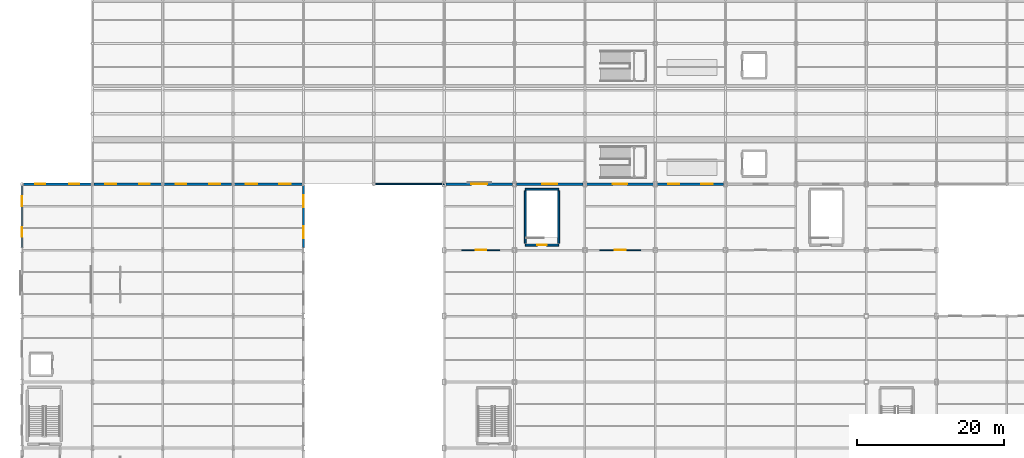
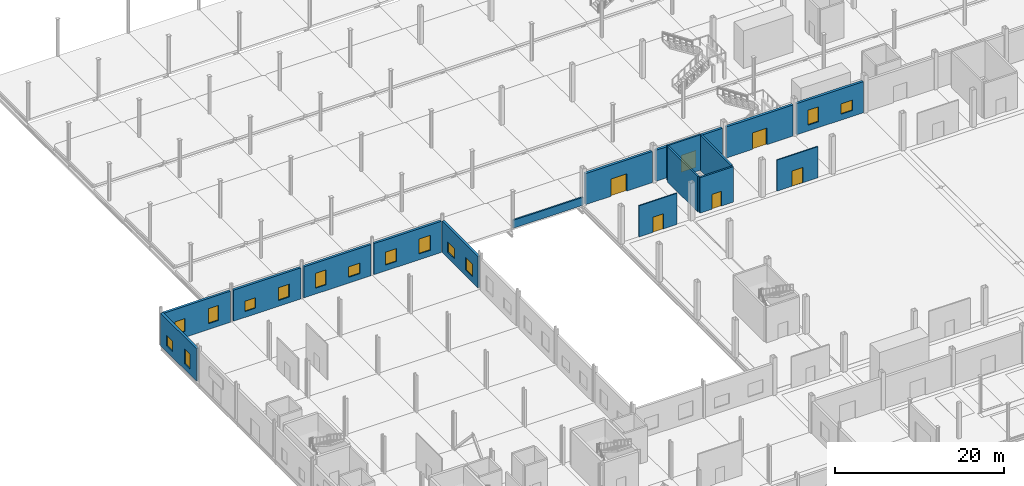
# One storey, part 69 of 85: 17 walls, 14 windows, 6 doors, 20 openings.
"""IFC4 building model written with IfcOpenShell, lengths in metres."""

from ifc_helpers import new_model, si_unit, direction, frame, frame_2d, origin, place, context, subcontext, project, spatial, rectangle, extrude, material, layer, layer_set, type_object, element, fill, save


model = new_model("IFC4")

# Units and contexts
model_context = context("Model", 3, precision=1e-05, world=origin(), true_north=direction((0.0, 1.0)))
body_context = subcontext(model_context, "Body", "Model", "MODEL_VIEW")
ifc_project = project(units=[si_unit("LENGTHUNIT", "METRE"), si_unit("AREAUNIT", "SQUARE_METRE"), si_unit("VOLUMEUNIT", "CUBIC_METRE"), si_unit("PLANEANGLEUNIT", "RADIAN"), si_unit("MASSUNIT", "GRAM", prefix="KILO")], contexts=[model_context])

# Site, building, storey
site_placement = place(None, origin())
site = spatial("IfcSite", under=ifc_project, at=site_placement, CompositionType="ELEMENT")
building_placement = place(site_placement, origin())
building = spatial("IfcBuilding", under=site, at=building_placement, Name="Zarnetskaya Central Station", CompositionType="ELEMENT")
storey_placement = place(building_placement, origin())
storey = spatial("IfcBuildingStorey", under=building, at=storey_placement, Name="L00", CompositionType="ELEMENT", Elevation=0.0)

# Wall, opening, door
ifc_material_1 = material(Name="Gypsum acoustic partition")
ifc_layer_1 = layer(ifc_material_1, 0.159912109375, Name="Gypsum acoustic partition")
ifc_layer_set_1 = layer_set([ifc_layer_1], Name="Gypsum acoustic partition")
wall_type_1 = type_object("IfcWallType", Name="PART-ACOU-160", PredefinedType="PARTITIONING", material=ifc_layer_set_1)
wall_1_placement = place(storey_placement, frame((65.199951171875, 58.199951171875, 0.0), z_axis=(0.0, 0.0, 1.0), x_axis=(-1.0, 0.0, 0.0)))
wall_1 = element("IfcWall", 1, at=wall_1_placement, inside=storey, type_object=wall_type_1, Name="Interior partition IPRT-L00-0387", PredefinedType="PARTITIONING", context=body_context, shape_type="SweptSolid", body=[
    extrude(rectangle(XDim=5.199951171875, YDim=0.159912109375, at=frame_2d((2.60009765625, 0.0))), origin(), (0.0, 0.0, 1.0), 4.489990234375),
])
opening_1_placement = place(wall_1_placement, frame((1.889892578125, 0.0, 0.0)))
opening_1 = element("IfcOpeningElement", 2, at=opening_1_placement, cuts=wall_1, Name="Opening DR-12", PredefinedType="OPENING", context=body_context, shape_type="SweptSolid", body=[
    extrude(rectangle(XDim=1.419921875, YDim=2.179931640625, at=frame_2d((0.7099609375, 1.08984375))), frame((0.0, 0.08984375, 0.0), z_axis=(0.0, -1.0, 0.0), x_axis=(1.0, 0.0, 0.0)), (0.0, 0.0, 1.0), 0.179931640625),
])
ifc_material_2 = material(Name="Anodised aluminium", Category="aluminium")
door_type_1 = type_object("IfcDoorType", Name="DR-INT-13", OperationType="NOTDEFINED", PredefinedType="DOOR", material=ifc_material_2)
door_1_placement = place(opening_1_placement, origin())
door_1 = element("IfcDoor", 3, at=door_1_placement, inside=storey, type_object=door_type_1, Name="North Eaves Passenger Waiting Lounge West door", OperationType="SINGLE_SWING_LEFT", OverallHeight=2.179931640625, OverallWidth=1.419921875, PredefinedType="DOOR", context=body_context, shape_type="SweptSolid", body=[
    extrude(rectangle(XDim=1.419921875, YDim=2.179931640625, at=frame_2d((0.7099609375, 1.08984375))), frame((0.0, 0.02490234375, 0.0), z_axis=(0.0, -1.0, 0.0), x_axis=(1.0, 0.0, 0.0)), (0.0, 0.0, 1.0), 0.050048828125),
])
fill(opening_1, door_1)

ifc_layer_2 = layer(ifc_material_1, 0.14501953125, Name="Gypsum acoustic partition")
ifc_layer_set_2 = layer_set([ifc_layer_2], Name="Gypsum acoustic partition")
wall_type_2 = type_object("IfcWallType", Name="PART-HALL-145", PredefinedType="PARTITIONING", material=ifc_layer_set_2)
wall_2_placement = place(storey_placement, frame((84.39990234375, 58.199951171875, 0.0), z_axis=(0.0, 0.0, 1.0), x_axis=(-1.0, 0.0, 0.0)))
wall_2 = element("IfcWall", 4, at=wall_2_placement, inside=storey, type_object=wall_type_2, Name="Interior partition IPRT-L00-0388", PredefinedType="PARTITIONING", context=body_context, shape_type="SweptSolid", body=[
    extrude(rectangle(XDim=5.599853515625, YDim=0.14501953125, at=frame_2d((2.7998046875, 0.0))), origin(), (0.0, 0.0, 1.0), 4.489990234375),
])
opening_2_placement = place(wall_2_placement, frame((2.050048828125, 0.0, 0.0)))
opening_2 = element("IfcOpeningElement", 5, at=opening_2_placement, cuts=wall_2, Name="Opening DR-15", PredefinedType="OPENING", context=body_context, shape_type="SweptSolid", body=[
    extrude(rectangle(XDim=1.5, YDim=2.199951171875, at=frame_2d((0.75, 1.10009765625))), frame((0.0, 0.08251953125, 0.0), z_axis=(0.0, -1.0, 0.0), x_axis=(1.0, 0.0, 0.0)), (0.0, 0.0, 1.0), 0.1650390625),
])
door_type_2 = type_object("IfcDoorType", Name="DR-INT-14", OperationType="NOTDEFINED", PredefinedType="DOOR", material=ifc_material_2)
door_2_placement = place(opening_2_placement, origin())
door_2 = element("IfcDoor", 6, at=door_2_placement, inside=storey, type_object=door_type_2, Name="North Eaves Passenger Waiting Lounge door", OperationType="SINGLE_SWING_RIGHT", OverallHeight=2.199951171875, OverallWidth=1.5, PredefinedType="DOOR", context=body_context, shape_type="SweptSolid", body=[
    extrude(rectangle(XDim=1.5, YDim=2.199951171875, at=frame_2d((0.75, 1.10009765625))), frame((0.0, 0.02490234375, 0.0), z_axis=(0.0, -1.0, 0.0), x_axis=(1.0, 0.0, 0.0)), (0.0, 0.0, 1.0), 0.050048828125),
])
fill(opening_2, door_2)

ifc_material_3 = material(Name="Precast concrete C40/50", Category="concrete")
ifc_layer_3 = layer(ifc_material_3, 0.340087890625, Name="Precast concrete C40/50", Category="concrete")
ifc_layer_set_3 = layer_set([ifc_layer_3], Name="Precast concrete C40/50")
wall_type_3 = type_object("IfcWallType", Name="WALL-EAVE-340", PredefinedType="SOLIDWALL", material=ifc_layer_set_3)
wall_3_placement = place(storey_placement, frame((57.85009765625, 67.199951171875, 0.0), z_axis=(0.0, 0.0, 1.0), x_axis=(1.0, 0.0, 0.0)))
wall_3 = element("IfcWall", 7, at=wall_3_placement, inside=storey, type_object=wall_type_3, Name="Exterior precast wall EW-L00-578-672-670-672", PredefinedType="SOLIDWALL", context=body_context, shape_type="SweptSolid", body=[
    extrude(rectangle(XDim=9.099853515625, YDim=0.340087890625, at=frame_2d((4.5498046875, 0.0))), origin(), (0.0, 0.0, 1.0), 4.489990234375),
])
opening_3_placement = place(wall_3_placement, frame((3.47509765625, 0.0, 0.0)))
opening_3 = element("IfcOpeningElement", 8, at=opening_3_placement, cuts=wall_3, Name="Opening ED-13", PredefinedType="OPENING", context=body_context, shape_type="SweptSolid", body=[
    extrude(rectangle(XDim=2.14990234375, YDim=2.5, at=frame_2d((1.074951171875, 1.25))), frame((0.0, 0.18017578125, 0.0), z_axis=(0.0, -1.0, 0.0), x_axis=(1.0, 0.0, 0.0)), (0.0, 0.0, 1.0), 0.360107421875),
])
door_type_3 = type_object("IfcDoorType", Name="DR-EXT-215x250", OperationType="NOTDEFINED", PredefinedType="DOOR", material=ifc_material_2)
door_3_placement = place(opening_3_placement, origin())
door_3 = element("IfcDoor", 9, at=door_3_placement, inside=storey, type_object=door_type_3, Name="Pedestrian final exit door ED-10", OperationType="DOUBLE_DOOR_SINGLE_SWING", OverallHeight=2.5, OverallWidth=2.14990234375, PredefinedType="DOOR", context=body_context, shape_type="SweptSolid", body=[
    extrude(rectangle(XDim=2.14990234375, YDim=2.5, at=frame_2d((1.074951171875, 1.25))), frame((0.0, 0.02490234375, 0.0), z_axis=(0.0, -1.0, 0.0), x_axis=(1.0, 0.0, 0.0)), (0.0, 0.0, 1.0), 0.050048828125),
])
fill(opening_3, door_3)

wall_4_placement = place(storey_placement, frame((67.449951171875, 67.199951171875, 0.0), z_axis=(0.0, 0.0, 1.0), x_axis=(1.0, 0.0, 0.0)))
wall_4 = element("IfcWall", 10, at=wall_4_placement, inside=storey, type_object=wall_type_3, Name="Exterior precast wall EW-L00-674-672-766-672", PredefinedType="SOLIDWALL", context=body_context, shape_type="SweptSolid", body=[
    extrude(rectangle(XDim=9.10009765625, YDim=0.340087890625, at=frame_2d((4.550048828125, 0.0))), origin(), (0.0, 0.0, 1.0), 4.489990234375),
])
opening_4_placement = place(wall_4_placement, frame((3.52490234375, 0.0, 0.0)))
opening_4 = element("IfcOpeningElement", 11, at=opening_4_placement, cuts=wall_4, Name="Opening ED-14", PredefinedType="OPENING", context=body_context, shape_type="SweptSolid", body=[
    extrude(rectangle(XDim=2.050048828125, YDim=2.449951171875, at=frame_2d((1.02490234375, 1.22509765625))), frame((0.0, 0.18017578125, 0.0), z_axis=(0.0, -1.0, 0.0), x_axis=(1.0, 0.0, 0.0)), (0.0, 0.0, 1.0), 0.360107421875),
])
door_type_4 = type_object("IfcDoorType", Name="DR-EXT-205x245", OperationType="NOTDEFINED", PredefinedType="DOOR", material=ifc_material_2)
door_4_placement = place(opening_4_placement, origin())
door_4 = element("IfcDoor", 12, at=door_4_placement, inside=storey, type_object=door_type_4, Name="Pedestrian final exit door ED-12", OperationType="DOUBLE_DOOR_SINGLE_SWING", OverallHeight=2.449951171875, OverallWidth=2.050048828125, PredefinedType="DOOR", context=body_context, shape_type="SweptSolid", body=[
    extrude(rectangle(XDim=2.050048828125, YDim=2.449951171875, at=frame_2d((1.02490234375, 1.22509765625))), frame((0.0, 0.02490234375, 0.0), z_axis=(0.0, -1.0, 0.0), x_axis=(1.0, 0.0, 0.0)), (0.0, 0.0, 1.0), 0.050048828125),
])
fill(opening_4, door_4)

wall_5_placement = place(storey_placement, frame((77.050048828125, 67.199951171875, 0.0), z_axis=(0.0, 0.0, 1.0), x_axis=(1.0, 0.0, 0.0)))
wall_5 = element("IfcWall", 13, at=wall_5_placement, inside=storey, type_object=wall_type_3, Name="Exterior precast wall EW-L00-770-672-862-672", PredefinedType="SOLIDWALL", context=body_context, shape_type="SweptSolid", body=[
    extrude(rectangle(XDim=9.099853515625, YDim=0.340087890625, at=frame_2d((4.5498046875, 0.0))), origin(), (0.0, 0.0, 1.0), 4.489990234375),
])
opening_5_placement = place(wall_5_placement, frame((3.574951171875, 0.0, 0.0)))
opening_5 = element("IfcOpeningElement", 14, at=opening_5_placement, cuts=wall_5, Name="Opening ED-08", PredefinedType="OPENING", context=body_context, shape_type="SweptSolid", body=[
    extrude(rectangle(XDim=1.949951171875, YDim=2.39990234375, at=frame_2d((0.97509765625, 1.199951171875))), frame((0.0, 0.18017578125, 0.0), z_axis=(0.0, -1.0, 0.0), x_axis=(1.0, 0.0, 0.0)), (0.0, 0.0, 1.0), 0.360107421875),
])
door_type_5 = type_object("IfcDoorType", Name="DR-EXT-195x240", OperationType="NOTDEFINED", PredefinedType="DOOR", material=ifc_material_2)
door_5_placement = place(opening_5_placement, origin())
door_5 = element("IfcDoor", 15, at=door_5_placement, inside=storey, type_object=door_type_5, Name="Pedestrian final exit door ED-14", OperationType="DOUBLE_DOOR_SINGLE_SWING", OverallHeight=2.39990234375, OverallWidth=1.949951171875, PredefinedType="DOOR", context=body_context, shape_type="SweptSolid", body=[
    extrude(rectangle(XDim=1.949951171875, YDim=2.39990234375, at=frame_2d((0.97509765625, 1.199951171875))), frame((0.0, 0.02490234375, 0.0), z_axis=(0.0, -1.0, 0.0), x_axis=(1.0, 0.0, 0.0)), (0.0, 0.0, 1.0), 0.050048828125),
])
fill(opening_5, door_5)

# Wall, openings, windows
wall_6_placement = place(storey_placement, frame((86.64990234375, 67.199951171875, 0.0), z_axis=(0.0, 0.0, 1.0), x_axis=(1.0, 0.0, 0.0)))
wall_6 = element("IfcWall", 16, at=wall_6_placement, inside=storey, type_object=wall_type_3, Name="Exterior precast wall EW-L00-866-672-958-672", PredefinedType="SOLIDWALL", context=body_context, shape_type="SweptSolid", body=[
    extrude(rectangle(XDim=9.10009765625, YDim=0.340087890625, at=frame_2d((4.550048828125, 0.0))), origin(), (0.0, 0.0, 1.0), 4.489990234375),
])
opening_6_placement = place(wall_6_placement, frame((1.550048828125, 0.0, 0.85009765625)))
opening_6 = element("IfcOpeningElement", 17, at=opening_6_placement, cuts=wall_6, Name="Opening WN-49", PredefinedType="OPENING", context=body_context, shape_type="SweptSolid", body=[
    extrude(rectangle(XDim=1.449951171875, YDim=2.14990234375, at=frame_2d((0.72509765625, 1.074951171875))), frame((0.0, 0.18017578125, 0.0), z_axis=(0.0, -1.0, 0.0), x_axis=(1.0, 0.0, 0.0)), (0.0, 0.0, 1.0), 0.360107421875),
])
opening_7_placement = place(wall_6_placement, frame((6.050048828125, 0.0, 0.85009765625)))
opening_7 = element("IfcOpeningElement", 18, at=opening_7_placement, cuts=wall_6, Name="Opening WN-54", PredefinedType="OPENING", context=body_context, shape_type="SweptSolid", body=[
    extrude(rectangle(XDim=1.550048828125, YDim=1.5, at=frame_2d((0.77490234375, 0.75))), frame((0.0, 0.18017578125, 0.0), z_axis=(0.0, -1.0, 0.0), x_axis=(1.0, 0.0, 0.0)), (0.0, 0.0, 1.0), 0.360107421875),
])
ifc_material_4 = material(Name="Low-E insulated glass", Category="glass")
window_type_1 = type_object("IfcWindowType", Name="WIN-12", PartitioningType="SINGLE_PANEL", PredefinedType="WINDOW", material=ifc_material_4)
window_1_placement = place(opening_6_placement, origin())
window_1 = element("IfcWindow", 19, at=window_1_placement, inside=storey, type_object=window_type_1, Name="Facade window L00-0120", OverallHeight=2.14990234375, OverallWidth=1.449951171875, PartitioningType="SINGLE_PANEL", PredefinedType="WINDOW", context=body_context, shape_type="SweptSolid", body=[
    extrude(rectangle(XDim=1.449951171875, YDim=2.14990234375, at=frame_2d((0.72509765625, 1.074951171875))), frame((0.0, 0.030029296875, 0.0), z_axis=(0.0, -1.0, 0.0), x_axis=(1.0, 0.0, 0.0)), (0.0, 0.0, 1.0), 0.06005859375),
])
fill(opening_6, window_1)
window_type_2 = type_object("IfcWindowType", Name="WIN-13", PartitioningType="SINGLE_PANEL", PredefinedType="WINDOW", material=ifc_material_4)
window_2_placement = place(opening_7_placement, origin())
window_2 = element("IfcWindow", 20, at=window_2_placement, inside=storey, type_object=window_type_2, Name="Facade window L00-0121", OverallHeight=1.5, OverallWidth=1.550048828125, PartitioningType="SINGLE_PANEL", PredefinedType="WINDOW", context=body_context, shape_type="SweptSolid", body=[
    extrude(rectangle(XDim=1.550048828125, YDim=1.5, at=frame_2d((0.77490234375, 0.75))), frame((0.0, 0.030029296875, 0.0), z_axis=(0.0, -1.0, 0.0), x_axis=(1.0, 0.0, 0.0)), (0.0, 0.0, 1.0), 0.06005859375),
])
fill(opening_7, window_2)

ifc_layer_4 = layer(ifc_material_3, 0.320068359375, Name="Precast concrete C40/50", Category="concrete")
ifc_layer_set_4 = layer_set([ifc_layer_4], Name="Precast concrete C40/50")
wall_type_4 = type_object("IfcWallType", Name="WALL-EXT-320", PredefinedType="SOLIDWALL", material=ifc_layer_set_4)
wall_7_placement = place(storey_placement, frame((0.0, 58.550048828125, 0.0), z_axis=(0.0, 0.0, 1.0), x_axis=(0.0, 1.0, 0.0)))
wall_7 = element("IfcWall", 21, at=wall_7_placement, inside=storey, type_object=wall_type_4, Name="Exterior precast wall EW-L00-0-586-0-670", PredefinedType="SOLIDWALL", context=body_context, shape_type="SweptSolid", body=[
    extrude(rectangle(XDim=8.44677734375, YDim=0.320068359375, at=frame_2d((4.223388671875, 0.0))), origin(), (0.0, 0.0, 1.0), 4.68994140625),
])
opening_8_placement = place(wall_7_placement, frame((1.48681640625, 0.0, 0.85009765625)))
opening_8 = element("IfcOpeningElement", 22, at=opening_8_placement, cuts=wall_7, Name="Opening WN-40", PredefinedType="OPENING", context=body_context, shape_type="SweptSolid", body=[
    extrude(rectangle(XDim=1.25, YDim=2.14990234375, at=frame_2d((0.625, 1.074951171875))), frame((0.0, 0.169921875, 0.0), z_axis=(0.0, -1.0, 0.0), x_axis=(1.0, 0.0, 0.0)), (0.0, 0.0, 1.0), 0.340087890625),
])
opening_9_placement = place(wall_7_placement, frame((5.66015625, 0.0, 0.85009765625)))
opening_9 = element("IfcOpeningElement", 23, at=opening_9_placement, cuts=wall_7, Name="Opening WN-03", PredefinedType="OPENING", context=body_context, shape_type="SweptSolid", body=[
    extrude(rectangle(XDim=1.35009765625, YDim=1.5, at=frame_2d((0.675048828125, 0.75))), frame((0.0, 0.169921875, 0.0), z_axis=(0.0, -1.0, 0.0), x_axis=(1.0, 0.0, 0.0)), (0.0, 0.0, 1.0), 0.340087890625),
])
window_type_3 = type_object("IfcWindowType", Name="WIN-06", PartitioningType="SINGLE_PANEL", PredefinedType="WINDOW", material=ifc_material_4)
window_3_placement = place(opening_8_placement, origin())
window_3 = element("IfcWindow", 24, at=window_3_placement, inside=storey, type_object=window_type_3, Name="Facade window L00-0006", OverallHeight=2.14990234375, OverallWidth=1.25, PartitioningType="SINGLE_PANEL", PredefinedType="WINDOW", context=body_context, shape_type="SweptSolid", body=[
    extrude(rectangle(XDim=1.25, YDim=2.14990234375, at=frame_2d((0.625, 1.074951171875))), frame((0.0, 0.030029296875, 0.0), z_axis=(0.0, -1.0, 0.0), x_axis=(1.0, 0.0, 0.0)), (0.0, 0.0, 1.0), 0.06005859375),
])
fill(opening_8, window_3)
window_type_4 = type_object("IfcWindowType", Name="WIN-07", PartitioningType="SINGLE_PANEL", PredefinedType="WINDOW", material=ifc_material_4)
window_4_placement = place(opening_9_placement, origin())
window_4 = element("IfcWindow", 25, at=window_4_placement, inside=storey, type_object=window_type_4, Name="Facade window L00-0007", OverallHeight=1.5, OverallWidth=1.35009765625, PartitioningType="SINGLE_PANEL", PredefinedType="WINDOW", context=body_context, shape_type="SweptSolid", body=[
    extrude(rectangle(XDim=1.35009765625, YDim=1.5, at=frame_2d((0.675048828125, 0.75))), frame((0.0, 0.030029296875, 0.0), z_axis=(0.0, -1.0, 0.0), x_axis=(1.0, 0.0, 0.0)), (0.0, 0.0, 1.0), 0.06005859375),
])
fill(opening_9, window_4)

wall_8_placement = place(storey_placement, frame((0.203125, 67.199951171875, 0.0), z_axis=(0.0, 0.0, 1.0), x_axis=(1.0, 0.0, 0.0)))
wall_8 = element("IfcWall", 26, at=wall_8_placement, inside=storey, type_object=wall_type_4, Name="Exterior precast wall EW-L00-2-672-94-672", PredefinedType="SOLIDWALL", context=body_context, shape_type="SweptSolid", body=[
    extrude(rectangle(XDim=9.193603515625, YDim=0.320068359375, at=frame_2d((4.5966796875, 0.0))), origin(), (0.0, 0.0, 1.0), 4.489990234375),
])
opening_10_placement = place(wall_8_placement, frame((1.623291015625, 0.0, 0.85009765625)))
opening_10 = element("IfcOpeningElement", 27, at=opening_10_placement, cuts=wall_8, Name="Opening WN-04", PredefinedType="OPENING", context=body_context, shape_type="SweptSolid", body=[
    extrude(rectangle(XDim=1.35009765625, YDim=1.85009765625, at=frame_2d((0.675048828125, 0.925048828125))), frame((0.0, 0.169921875, 0.0), z_axis=(0.0, -1.0, 0.0), x_axis=(1.0, 0.0, 0.0)), (0.0, 0.0, 1.0), 0.340087890625),
])
opening_11_placement = place(wall_8_placement, frame((6.22021484375, 0.0, 0.85009765625)))
opening_11 = element("IfcOpeningElement", 28, at=opening_11_placement, cuts=wall_8, Name="Opening WN-30", PredefinedType="OPENING", context=body_context, shape_type="SweptSolid", body=[
    extrude(rectangle(XDim=1.35009765625, YDim=2.14990234375, at=frame_2d((0.675048828125, 1.074951171875))), frame((0.0, 0.169921875, 0.0), z_axis=(0.0, -1.0, 0.0), x_axis=(1.0, 0.0, 0.0)), (0.0, 0.0, 1.0), 0.340087890625),
])
window_type_5 = type_object("IfcWindowType", Name="WIN-08", PartitioningType="SINGLE_PANEL", PredefinedType="WINDOW", material=ifc_material_4)
window_5_placement = place(opening_10_placement, origin())
window_5 = element("IfcWindow", 29, at=window_5_placement, inside=storey, type_object=window_type_5, Name="Facade window L00-0008", OverallHeight=1.85009765625, OverallWidth=1.35009765625, PartitioningType="SINGLE_PANEL", PredefinedType="WINDOW", context=body_context, shape_type="SweptSolid", body=[
    extrude(rectangle(XDim=1.35009765625, YDim=1.85009765625, at=frame_2d((0.675048828125, 0.925048828125))), frame((0.0, 0.030029296875, 0.0), z_axis=(0.0, -1.0, 0.0), x_axis=(1.0, 0.0, 0.0)), (0.0, 0.0, 1.0), 0.06005859375),
])
fill(opening_10, window_5)
window_type_6 = type_object("IfcWindowType", Name="WIN-09", PartitioningType="SINGLE_PANEL", PredefinedType="WINDOW", material=ifc_material_4)
window_6_placement = place(opening_11_placement, origin())
window_6 = element("IfcWindow", 30, at=window_6_placement, inside=storey, type_object=window_type_6, Name="Facade window L00-0009", OverallHeight=2.14990234375, OverallWidth=1.35009765625, PartitioningType="SINGLE_PANEL", PredefinedType="WINDOW", context=body_context, shape_type="SweptSolid", body=[
    extrude(rectangle(XDim=1.35009765625, YDim=2.14990234375, at=frame_2d((0.675048828125, 1.074951171875))), frame((0.0, 0.030029296875, 0.0), z_axis=(0.0, -1.0, 0.0), x_axis=(1.0, 0.0, 0.0)), (0.0, 0.0, 1.0), 0.06005859375),
])
fill(opening_11, window_6)

wall_9_placement = place(storey_placement, frame((9.80322265625, 67.199951171875, 0.0), z_axis=(0.0, 0.0, 1.0), x_axis=(1.0, 0.0, 0.0)))
wall_9 = element("IfcWall", 31, at=wall_9_placement, inside=storey, type_object=wall_type_4, Name="Exterior precast wall EW-L00-98-672-190-672", PredefinedType="SOLIDWALL", context=body_context, shape_type="SweptSolid", body=[
    extrude(rectangle(XDim=9.193603515625, YDim=0.320068359375, at=frame_2d((4.5966796875, 0.0))), origin(), (0.0, 0.0, 1.0), 4.489990234375),
])
opening_12_placement = place(wall_9_placement, frame((1.573486328125, 0.0, 0.85009765625)))
opening_12 = element("IfcOpeningElement", 32, at=opening_12_placement, cuts=wall_9, Name="Opening WN-44", PredefinedType="OPENING", context=body_context, shape_type="SweptSolid", body=[
    extrude(rectangle(XDim=1.449951171875, YDim=1.5, at=frame_2d((0.72509765625, 0.75))), frame((0.0, 0.169921875, 0.0), z_axis=(0.0, -1.0, 0.0), x_axis=(1.0, 0.0, 0.0)), (0.0, 0.0, 1.0), 0.340087890625),
])
opening_13_placement = place(wall_9_placement, frame((6.170166015625, 0.0, 0.85009765625)))
opening_13 = element("IfcOpeningElement", 33, at=opening_13_placement, cuts=wall_9, Name="Opening WN-53", PredefinedType="OPENING", context=body_context, shape_type="SweptSolid", body=[
    extrude(rectangle(XDim=1.449951171875, YDim=1.85009765625, at=frame_2d((0.72509765625, 0.925048828125))), frame((0.0, 0.169921875, 0.0), z_axis=(0.0, -1.0, 0.0), x_axis=(1.0, 0.0, 0.0)), (0.0, 0.0, 1.0), 0.340087890625),
])
window_type_7 = type_object("IfcWindowType", Name="WIN-10", PartitioningType="SINGLE_PANEL", PredefinedType="WINDOW", material=ifc_material_4)
window_7_placement = place(opening_12_placement, origin())
window_7 = element("IfcWindow", 34, at=window_7_placement, inside=storey, type_object=window_type_7, Name="Facade window L00-0010", OverallHeight=1.5, OverallWidth=1.449951171875, PartitioningType="SINGLE_PANEL", PredefinedType="WINDOW", context=body_context, shape_type="SweptSolid", body=[
    extrude(rectangle(XDim=1.449951171875, YDim=1.5, at=frame_2d((0.72509765625, 0.75))), frame((0.0, 0.030029296875, 0.0), z_axis=(0.0, -1.0, 0.0), x_axis=(1.0, 0.0, 0.0)), (0.0, 0.0, 1.0), 0.06005859375),
])
fill(opening_12, window_7)
window_type_8 = type_object("IfcWindowType", Name="WIN-11", PartitioningType="SINGLE_PANEL", PredefinedType="WINDOW", material=ifc_material_4)
window_8_placement = place(opening_13_placement, origin())
window_8 = element("IfcWindow", 35, at=window_8_placement, inside=storey, type_object=window_type_8, Name="Facade window L00-0011", OverallHeight=1.85009765625, OverallWidth=1.449951171875, PartitioningType="SINGLE_PANEL", PredefinedType="WINDOW", context=body_context, shape_type="SweptSolid", body=[
    extrude(rectangle(XDim=1.449951171875, YDim=1.85009765625, at=frame_2d((0.72509765625, 0.925048828125))), frame((0.0, 0.030029296875, 0.0), z_axis=(0.0, -1.0, 0.0), x_axis=(1.0, 0.0, 0.0)), (0.0, 0.0, 1.0), 0.06005859375),
])
fill(opening_13, window_8)

wall_10_placement = place(storey_placement, frame((19.4033203125, 67.199951171875, 0.0), z_axis=(0.0, 0.0, 1.0), x_axis=(1.0, 0.0, 0.0)))
wall_10 = element("IfcWall", 36, at=wall_10_placement, inside=storey, type_object=wall_type_4, Name="Exterior precast wall EW-L00-194-672-286-672", PredefinedType="SOLIDWALL", context=body_context, shape_type="SweptSolid", body=[
    extrude(rectangle(XDim=9.193359375, YDim=0.320068359375, at=frame_2d((4.5966796875, 0.0))), origin(), (0.0, 0.0, 1.0), 4.489990234375),
])
opening_14_placement = place(wall_10_placement, frame((1.573486328125, 0.0, 0.85009765625)))
opening_14 = element("IfcOpeningElement", 37, at=opening_14_placement, cuts=wall_10, Name="Opening WN-49", PredefinedType="OPENING", context=body_context, shape_type="SweptSolid", body=[
    extrude(rectangle(XDim=1.449951171875, YDim=2.14990234375, at=frame_2d((0.72509765625, 1.074951171875))), frame((0.0, 0.169921875, 0.0), z_axis=(0.0, -1.0, 0.0), x_axis=(1.0, 0.0, 0.0)), (0.0, 0.0, 1.0), 0.340087890625),
])
opening_15_placement = place(wall_10_placement, frame((6.1201171875, 0.0, 0.85009765625)))
opening_15 = element("IfcOpeningElement", 38, at=opening_15_placement, cuts=wall_10, Name="Opening WN-54", PredefinedType="OPENING", context=body_context, shape_type="SweptSolid", body=[
    extrude(rectangle(XDim=1.550048828125, YDim=1.5, at=frame_2d((0.77490234375, 0.75))), frame((0.0, 0.169921875, 0.0), z_axis=(0.0, -1.0, 0.0), x_axis=(1.0, 0.0, 0.0)), (0.0, 0.0, 1.0), 0.340087890625),
])
window_9_placement = place(opening_14_placement, origin())
window_9 = element("IfcWindow", 39, at=window_9_placement, inside=storey, type_object=window_type_1, Name="Facade window L00-0012", OverallHeight=2.14990234375, OverallWidth=1.449951171875, PartitioningType="SINGLE_PANEL", PredefinedType="WINDOW", context=body_context, shape_type="SweptSolid", body=[
    extrude(rectangle(XDim=1.449951171875, YDim=2.14990234375, at=frame_2d((0.72509765625, 1.074951171875))), frame((0.0, 0.030029296875, 0.0), z_axis=(0.0, -1.0, 0.0), x_axis=(1.0, 0.0, 0.0)), (0.0, 0.0, 1.0), 0.06005859375),
])
fill(opening_14, window_9)
window_10_placement = place(opening_15_placement, origin())
window_10 = element("IfcWindow", 40, at=window_10_placement, inside=storey, type_object=window_type_2, Name="Facade window L00-0013", OverallHeight=1.5, OverallWidth=1.550048828125, PartitioningType="SINGLE_PANEL", PredefinedType="WINDOW", context=body_context, shape_type="SweptSolid", body=[
    extrude(rectangle(XDim=1.550048828125, YDim=1.5, at=frame_2d((0.77490234375, 0.75))), frame((0.0, 0.030029296875, 0.0), z_axis=(0.0, -1.0, 0.0), x_axis=(1.0, 0.0, 0.0)), (0.0, 0.0, 1.0), 0.06005859375),
])
fill(opening_15, window_10)

wall_11_placement = place(storey_placement, frame((29.003173828125, 67.199951171875, 0.0), z_axis=(0.0, 0.0, 1.0), x_axis=(1.0, 0.0, 0.0)))
wall_11 = element("IfcWall", 41, at=wall_11_placement, inside=storey, type_object=wall_type_4, Name="Exterior precast wall EW-L00-290-672-382-672", PredefinedType="SOLIDWALL", context=body_context, shape_type="SweptSolid", body=[
    extrude(rectangle(XDim=9.193603515625, YDim=0.320068359375, at=frame_2d((4.5966796875, 0.0))), origin(), (0.0, 0.0, 1.0), 4.489990234375),
])
opening_16_placement = place(wall_11_placement, frame((1.5234375, 0.0, 0.85009765625)))
opening_16 = element("IfcOpeningElement", 42, at=opening_16_placement, cuts=wall_11, Name="Opening WN-23", PredefinedType="OPENING", context=body_context, shape_type="SweptSolid", body=[
    extrude(rectangle(XDim=1.550048828125, YDim=1.85009765625, at=frame_2d((0.77490234375, 0.925048828125))), frame((0.0, 0.169921875, 0.0), z_axis=(0.0, -1.0, 0.0), x_axis=(1.0, 0.0, 0.0)), (0.0, 0.0, 1.0), 0.340087890625),
])
opening_17_placement = place(wall_11_placement, frame((6.1201171875, 0.0, 0.85009765625)))
opening_17 = element("IfcOpeningElement", 43, at=opening_17_placement, cuts=wall_11, Name="Opening WN-16", PredefinedType="OPENING", context=body_context, shape_type="SweptSolid", body=[
    extrude(rectangle(XDim=1.550048828125, YDim=2.14990234375, at=frame_2d((0.77490234375, 1.074951171875))), frame((0.0, 0.169921875, 0.0), z_axis=(0.0, -1.0, 0.0), x_axis=(1.0, 0.0, 0.0)), (0.0, 0.0, 1.0), 0.340087890625),
])
window_type_9 = type_object("IfcWindowType", Name="WIN-14", PartitioningType="SINGLE_PANEL", PredefinedType="WINDOW", material=ifc_material_4)
window_11_placement = place(opening_16_placement, origin())
window_11 = element("IfcWindow", 44, at=window_11_placement, inside=storey, type_object=window_type_9, Name="Facade window L00-0014", OverallHeight=1.85009765625, OverallWidth=1.550048828125, PartitioningType="SINGLE_PANEL", PredefinedType="WINDOW", context=body_context, shape_type="SweptSolid", body=[
    extrude(rectangle(XDim=1.550048828125, YDim=1.85009765625, at=frame_2d((0.77490234375, 0.925048828125))), frame((0.0, 0.030029296875, 0.0), z_axis=(0.0, -1.0, 0.0), x_axis=(1.0, 0.0, 0.0)), (0.0, 0.0, 1.0), 0.06005859375),
])
fill(opening_16, window_11)
window_type_10 = type_object("IfcWindowType", Name="WIN-15", PartitioningType="SINGLE_PANEL", PredefinedType="WINDOW", material=ifc_material_4)
window_12_placement = place(opening_17_placement, origin())
window_12 = element("IfcWindow", 45, at=window_12_placement, inside=storey, type_object=window_type_10, Name="Facade window L00-0015", OverallHeight=2.14990234375, OverallWidth=1.550048828125, PartitioningType="SINGLE_PANEL", PredefinedType="WINDOW", context=body_context, shape_type="SweptSolid", body=[
    extrude(rectangle(XDim=1.550048828125, YDim=2.14990234375, at=frame_2d((0.77490234375, 1.074951171875))), frame((0.0, 0.030029296875, 0.0), z_axis=(0.0, -1.0, 0.0), x_axis=(1.0, 0.0, 0.0)), (0.0, 0.0, 1.0), 0.06005859375),
])
fill(opening_17, window_12)

wall_12_placement = place(storey_placement, frame((38.39990234375, 66.996826171875, 0.0), z_axis=(0.0, 0.0, 1.0), x_axis=(0.0, -1.0, 0.0)))
wall_12 = element("IfcWall", 46, at=wall_12_placement, inside=storey, type_object=wall_type_4, Name="Exterior precast wall EW-L00-384-670-384-586", PredefinedType="SOLIDWALL", context=body_context, shape_type="SweptSolid", body=[
    extrude(rectangle(XDim=8.44677734375, YDim=0.320068359375, at=frame_2d((4.223388671875, 0.0))), origin(), (0.0, 0.0, 1.0), 4.5400390625),
])
opening_18_placement = place(wall_12_placement, frame((1.28662109375, 0.0, 0.85009765625)))
opening_18 = element("IfcOpeningElement", 47, at=opening_18_placement, cuts=wall_12, Name="Opening WN-34", PredefinedType="OPENING", context=body_context, shape_type="SweptSolid", body=[
    extrude(rectangle(XDim=1.64990234375, YDim=1.5, at=frame_2d((0.824951171875, 0.75))), frame((0.0, 0.169921875, 0.0), z_axis=(0.0, -1.0, 0.0), x_axis=(1.0, 0.0, 0.0)), (0.0, 0.0, 1.0), 0.340087890625),
])
opening_19_placement = place(wall_12_placement, frame((5.510009765625, 0.0, 0.85009765625)))
opening_19 = element("IfcOpeningElement", 48, at=opening_19_placement, cuts=wall_12, Name="Opening WN-09", PredefinedType="OPENING", context=body_context, shape_type="SweptSolid", body=[
    extrude(rectangle(XDim=1.64990234375, YDim=1.85009765625, at=frame_2d((0.824951171875, 0.925048828125))), frame((0.0, 0.169921875, 0.0), z_axis=(0.0, -1.0, 0.0), x_axis=(1.0, 0.0, 0.0)), (0.0, 0.0, 1.0), 0.340087890625),
])
window_type_11 = type_object("IfcWindowType", Name="WIN-16", PartitioningType="SINGLE_PANEL", PredefinedType="WINDOW", material=ifc_material_4)
window_13_placement = place(opening_18_placement, origin())
window_13 = element("IfcWindow", 49, at=window_13_placement, inside=storey, type_object=window_type_11, Name="Facade window L00-0016", OverallHeight=1.5, OverallWidth=1.64990234375, PartitioningType="SINGLE_PANEL", PredefinedType="WINDOW", context=body_context, shape_type="SweptSolid", body=[
    extrude(rectangle(XDim=1.64990234375, YDim=1.5, at=frame_2d((0.824951171875, 0.75))), frame((0.0, 0.030029296875, 0.0), z_axis=(0.0, -1.0, 0.0), x_axis=(1.0, 0.0, 0.0)), (0.0, 0.0, 1.0), 0.06005859375),
])
fill(opening_18, window_13)
window_type_12 = type_object("IfcWindowType", Name="WIN-17", PartitioningType="SINGLE_PANEL", PredefinedType="WINDOW", material=ifc_material_4)
window_14_placement = place(opening_19_placement, origin())
window_14 = element("IfcWindow", 50, at=window_14_placement, inside=storey, type_object=window_type_12, Name="Facade window L00-0017", OverallHeight=1.85009765625, OverallWidth=1.64990234375, PartitioningType="SINGLE_PANEL", PredefinedType="WINDOW", context=body_context, shape_type="SweptSolid", body=[
    extrude(rectangle(XDim=1.64990234375, YDim=1.85009765625, at=frame_2d((0.824951171875, 0.925048828125))), frame((0.0, 0.030029296875, 0.0), z_axis=(0.0, -1.0, 0.0), x_axis=(1.0, 0.0, 0.0)), (0.0, 0.0, 1.0), 0.06005859375),
])
fill(opening_19, window_14)

# Wall
ifc_layer_5 = layer(ifc_material_3, 0.2099609375, Name="Precast concrete C40/50", Category="concrete")
ifc_layer_set_5 = layer_set([ifc_layer_5], Name="Precast concrete C40/50")
wall_type_5 = type_object("IfcWallType", Name="WALL-PRP-210", PredefinedType="PARAPET", material=ifc_layer_set_5)
wall_13_placement = place(storey_placement, frame((48.0, 67.199951171875, 0.0), z_axis=(0.0, 0.0, 1.0), x_axis=(1.0, 0.0, 0.0)))
element("IfcWall", 51, at=wall_13_placement, inside=storey, type_object=wall_type_5, Name="Platform 1 south edge parapet FG", PredefinedType="PARAPET", context=body_context, shape_type="SweptSolid", body=[
    extrude(rectangle(XDim=9.60009765625, YDim=0.2099609375, at=frame_2d((4.800048828125, 0.0))), origin(), (0.0, 0.0, 1.0), 1.14990234375),
])

# Wall, opening, door
ifc_material_5 = material(Name="Concrete C35/45", Category="concrete")
ifc_layer_6 = layer(ifc_material_5, 0.239990234375, Name="Concrete C35/45", Category="concrete")
ifc_layer_set_6 = layer_set([ifc_layer_6], Name="Concrete C35/45")
wall_type_6 = type_object("IfcWallType", Name="WALL-SHFT-240", PredefinedType="SHEAR", material=ifc_layer_set_6)
wall_14_placement = place(storey_placement, frame((73.219970703125, 58.8798828125, 0.0), z_axis=(0.0, 0.0, 1.0), x_axis=(-1.0, 0.0, 0.0)))
wall_14 = element("IfcWall", 52, at=wall_14_placement, inside=storey, type_object=wall_type_6, Name="Core shear wall WSTR-L00-0305", PredefinedType="SHEAR", context=body_context, shape_type="SweptSolid", body=[
    extrude(rectangle(XDim=4.5400390625, YDim=0.239990234375, at=frame_2d((2.27001953125, 0.0))), origin(), (0.0, 0.0, 1.0), 5.1201171875),
])
opening_20_placement = place(wall_14_placement, frame((1.610107421875, 0.0, 0.0)))
opening_20 = element("IfcOpeningElement", 53, at=opening_20_placement, cuts=wall_14, Name="Opening DR-FD60", PredefinedType="OPENING", context=body_context, shape_type="SweptSolid", body=[
    extrude(rectangle(XDim=1.320068359375, YDim=2.14990234375, at=frame_2d((0.66015625, 1.074951171875))), frame((0.0, 0.1298828125, 0.0), z_axis=(0.0, -1.0, 0.0), x_axis=(1.0, 0.0, 0.0)), (0.0, 0.0, 1.0), 0.260009765625),
])
door_type_6 = type_object("IfcDoorType", Name="DR-FIRE-STAIR", OperationType="NOTDEFINED", PredefinedType="DOOR", material=ifc_material_2)
door_6_placement = place(opening_20_placement, origin())
door_6 = element("IfcDoor", 54, at=door_6_placement, inside=storey, type_object=door_type_6, Name="Protected exit stair door ST-U1 L00", OperationType="SINGLE_SWING_LEFT", OverallHeight=2.14990234375, OverallWidth=1.320068359375, PredefinedType="DOOR", context=body_context, shape_type="SweptSolid", body=[
    extrude(rectangle(XDim=1.320068359375, YDim=2.14990234375, at=frame_2d((0.66015625, 1.074951171875))), frame((0.0, 0.02490234375, 0.0), z_axis=(0.0, -1.0, 0.0), x_axis=(1.0, 0.0, 0.0)), (0.0, 0.0, 1.0), 0.050048828125),
])
fill(opening_20, door_6)

# Walls
wall_15_placement = place(storey_placement, frame((68.679931640625, 66.52001953125, 0.0), z_axis=(0.0, 0.0, 1.0), x_axis=(1.0, 0.0, 0.0)))
element("IfcWall", 55, at=wall_15_placement, inside=storey, type_object=wall_type_6, Name="Core shear wall WSTR-L00-0306", PredefinedType="SHEAR", context=body_context, shape_type="SweptSolid", body=[
    extrude(rectangle(XDim=4.5400390625, YDim=0.239990234375, at=frame_2d((2.27001953125, 0.0))), origin(), (0.0, 0.0, 1.0), 5.1201171875),
])
for number, where, z_axis, x_axis, name in (
    (56, (68.679931640625, 59.1201171875, 0.0), (0.0, 0.0, 1.0), (0.0, 1.0, 0.0), "Core shear wall WSTR-L00-0307"),
    (57, (73.219970703125, 66.280029296875, 0.0), (0.0, 0.0, 1.0), (0.0, -1.0, 0.0), "Core shear wall WSTR-L00-0308"),
):
    element("IfcWall", number, at=place(storey_placement, frame(where, z_axis=z_axis, x_axis=x_axis)), inside=storey, type_object=wall_type_6, Name=name, PredefinedType="SHEAR", context=body_context, shape_type="SweptSolid", body=[
        extrude(rectangle(XDim=7.159912109375, YDim=0.239990234375, at=frame_2d((3.580078125, 0.0))), origin(), (0.0, 0.0, 1.0), 5.1201171875),
    ])

save(model, "model.ifc")
